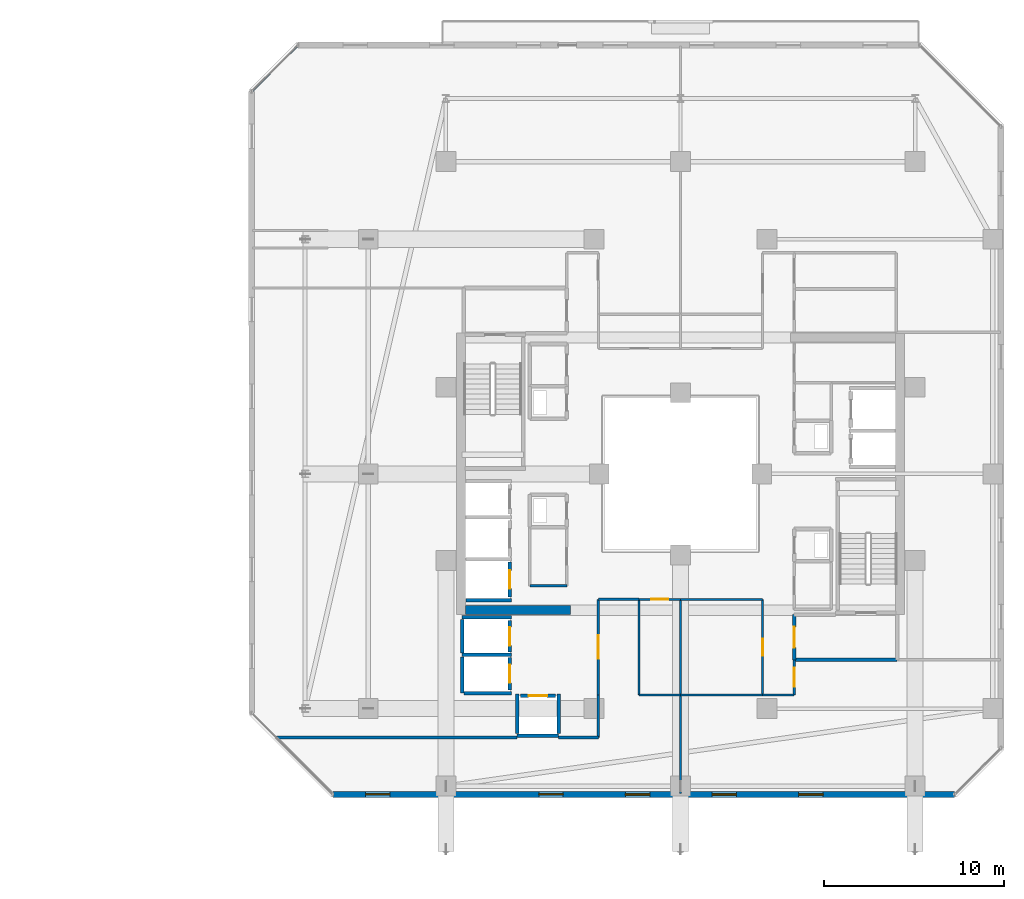
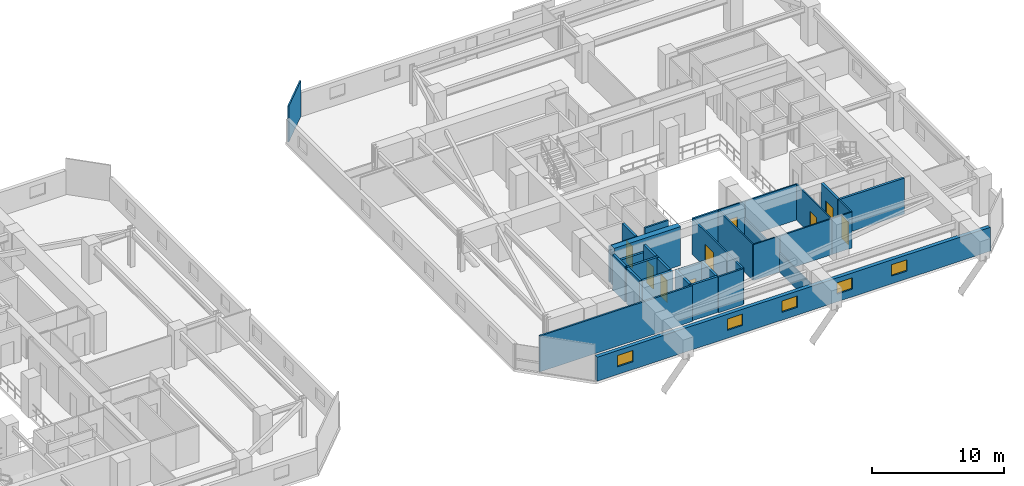
# One storey, part 26 of 36: 34 walls, 9 doors, 5 windows, 14 openings.
"""IFC4 building model written with IfcOpenShell, lengths in metres."""

from ifc_helpers import new_model, si_unit, direction, frame, frame_2d, origin, place, context, subcontext, project, spatial, rectangle, extrude, material, layer, layer_set, type_object, element, fill, save


model = new_model("IFC4")

# Units and contexts
model_context = context("Model", 3, precision=1e-05, world=origin(), true_north=direction((0.0, 1.0)))
body_context = subcontext(model_context, "Body", "Model", "MODEL_VIEW")
ifc_project = project(units=[si_unit("LENGTHUNIT", "METRE"), si_unit("AREAUNIT", "SQUARE_METRE"), si_unit("VOLUMEUNIT", "CUBIC_METRE"), si_unit("PLANEANGLEUNIT", "RADIAN"), si_unit("MASSUNIT", "GRAM", prefix="KILO")], contexts=[model_context])

# Site, building, storey
site_placement = place(None, origin())
site = spatial("IfcSite", under=ifc_project, at=site_placement, CompositionType="ELEMENT")
building_placement = place(site_placement, origin())
building = spatial("IfcBuilding", under=site, at=building_placement, Name="Thornwick Lancets Civic Towers", CompositionType="ELEMENT")
storey_placement = place(building_placement, frame((0.0, 0.0, 196.5)))
storey = spatial("IfcBuildingStorey", under=building, at=storey_placement, Name="L52", CompositionType="ELEMENT", Elevation=196.5)

# Wall, opening, door
ifc_material_1 = material(Name="Concrete blockwork C40/50", Category="masonry")
ifc_layer_1 = layer(ifc_material_1, 0.199951171875, Name="Concrete blockwork C40/50")
ifc_layer_set_1 = layer_set([ifc_layer_1], Name="Concrete blockwork C40/50")
wall_type_1 = type_object("IfcWallType", Name="WALL_COMP_200", PredefinedType="STANDARD", material=ifc_layer_set_1)
wall_1_placement = place(storey_placement, frame((79.050048828125, 20.179931640625, 0.0), z_axis=(0.0, 0.0, 1.0), x_axis=(0.0, 1.0, 0.0)))
wall_1 = element("IfcWall", 1, at=wall_1_placement, inside=storey, type_object=wall_type_1, Name="L52 Hoistway Front Wall PL-BH3", PredefinedType="STANDARD", context=body_context, shape_type="SweptSolid", body=[
    extrude(rectangle(XDim=1.940185546875, YDim=0.199951171875, at=frame_2d((0.97021484375, 0.0))), origin(), (0.0, 0.0, 1.0), 3.320068359375),
])
opening_1_placement = place(wall_1_placement, frame((0.4599609375, 0.0, 0.0)))
opening_1 = element("IfcOpeningElement", 2, at=opening_1_placement, cuts=wall_1, Name="Opening LD-PL-BH3", PredefinedType="OPENING", context=body_context, shape_type="SweptSolid", body=[
    extrude(rectangle(XDim=1.02001953125, YDim=2.06005859375, at=frame_2d((0.510009765625, 1.030029296875))), frame((0.0, 0.10986328125, 0.0), z_axis=(0.0, -1.0, 0.0), x_axis=(1.0, 0.0, 0.0)), (0.0, 0.0, 1.0), 0.219970703125),
])
ifc_material_2 = material(Name="Brushed bronze stainless steel", Category="steel")
door_type_1 = type_object("IfcDoorType", Name="DOOR_LIFT_SLIDE", OperationType="SLIDING_TO_LEFT", PredefinedType="DOOR", material=ifc_material_2)
door_1_placement = place(opening_1_placement, origin())
door_1 = element("IfcDoor", 3, at=door_1_placement, inside=storey, type_object=door_type_1, Name="L52 Sliding Lift Landing Door LD-PL-BH3", OperationType="SLIDING_TO_LEFT", OverallHeight=2.06005859375, OverallWidth=1.02001953125, PredefinedType="DOOR", context=body_context, shape_type="SweptSolid", body=[
    extrude(rectangle(XDim=1.02001953125, YDim=2.06005859375, at=frame_2d((0.510009765625, 1.030029296875))), frame((0.0, 0.02490234375, 0.0), z_axis=(0.0, -1.0, 0.0), x_axis=(1.0, 0.0, 0.0)), (0.0, 0.0, 1.0), 0.050048828125),
])
fill(opening_1, door_1)

wall_2_placement = place(storey_placement, frame((79.050048828125, 17.1298828125, 0.0), z_axis=(0.0, 0.0, 1.0), x_axis=(0.0, 1.0, 0.0)))
wall_2 = element("IfcWall", 4, at=wall_2_placement, inside=storey, type_object=wall_type_1, Name="L52 Hoistway Front Wall PL-BM1", PredefinedType="STANDARD", context=body_context, shape_type="SweptSolid", body=[
    extrude(rectangle(XDim=1.740234375, YDim=0.199951171875, at=frame_2d((0.8701171875, 0.0))), origin(), (0.0, 0.0, 1.0), 3.320068359375),
])
opening_2_placement = place(wall_2_placement, frame((0.360107421875, 0.0, 0.0)))
opening_2 = element("IfcOpeningElement", 5, at=opening_2_placement, cuts=wall_2, Name="Opening LD-PL-BM1", PredefinedType="OPENING", context=body_context, shape_type="SweptSolid", body=[
    extrude(rectangle(XDim=1.02001953125, YDim=2.06005859375, at=frame_2d((0.510009765625, 1.030029296875))), frame((0.0, 0.10986328125, 0.0), z_axis=(0.0, -1.0, 0.0), x_axis=(1.0, 0.0, 0.0)), (0.0, 0.0, 1.0), 0.219970703125),
])
door_2_placement = place(opening_2_placement, origin())
door_2 = element("IfcDoor", 6, at=door_2_placement, inside=storey, type_object=door_type_1, Name="L52 Sliding Lift Landing Door LD-PL-BM1", OperationType="SLIDING_TO_LEFT", OverallHeight=2.06005859375, OverallWidth=1.02001953125, PredefinedType="DOOR", context=body_context, shape_type="SweptSolid", body=[
    extrude(rectangle(XDim=1.02001953125, YDim=2.06005859375, at=frame_2d((0.510009765625, 1.030029296875))), frame((0.0, 0.02490234375, 0.0), z_axis=(0.0, -1.0, 0.0), x_axis=(1.0, 0.0, 0.0)), (0.0, 0.0, 1.0), 0.050048828125),
])
fill(opening_2, door_2)

wall_3_placement = place(storey_placement, frame((79.050048828125, 15.030029296875, 0.0), z_axis=(0.0, 0.0, 1.0), x_axis=(0.0, 1.0, 0.0)))
wall_3 = element("IfcWall", 7, at=wall_3_placement, inside=storey, type_object=wall_type_1, Name="L52 Hoistway Front Wall PL-BM2", PredefinedType="STANDARD", context=body_context, shape_type="SweptSolid", body=[
    extrude(rectangle(XDim=1.7900390625, YDim=0.199951171875, at=frame_2d((0.89501953125, 0.0))), origin(), (0.0, 0.0, 1.0), 3.320068359375),
])
opening_3_placement = place(wall_3_placement, frame((0.385009765625, 0.0, 0.0)))
opening_3 = element("IfcOpeningElement", 8, at=opening_3_placement, cuts=wall_3, Name="Opening LD-PL-BM2", PredefinedType="OPENING", context=body_context, shape_type="SweptSolid", body=[
    extrude(rectangle(XDim=1.02001953125, YDim=2.06005859375, at=frame_2d((0.510009765625, 1.030029296875))), frame((0.0, 0.10986328125, 0.0), z_axis=(0.0, -1.0, 0.0), x_axis=(1.0, 0.0, 0.0)), (0.0, 0.0, 1.0), 0.219970703125),
])
door_3_placement = place(opening_3_placement, origin())
door_3 = element("IfcDoor", 9, at=door_3_placement, inside=storey, type_object=door_type_1, Name="L52 Sliding Lift Landing Door LD-PL-BM2", OperationType="SLIDING_TO_LEFT", OverallHeight=2.06005859375, OverallWidth=1.02001953125, PredefinedType="DOOR", context=body_context, shape_type="SweptSolid", body=[
    extrude(rectangle(XDim=1.02001953125, YDim=2.06005859375, at=frame_2d((0.510009765625, 1.030029296875))), frame((0.0, 0.02490234375, 0.0), z_axis=(0.0, -1.0, 0.0), x_axis=(1.0, 0.0, 0.0)), (0.0, 0.0, 1.0), 0.050048828125),
])
fill(opening_3, door_3)

wall_4_placement = place(storey_placement, frame((79.6298828125, 14.699951171875, 0.0), z_axis=(0.0, 0.0, 1.0), x_axis=(1.0, 0.0, 0.0)))
wall_4 = element("IfcWall", 10, at=wall_4_placement, inside=storey, type_object=wall_type_1, Name="L52 Hoistway Front Wall PL-BM3", PredefinedType="STANDARD", context=body_context, shape_type="SweptSolid", body=[
    extrude(rectangle(XDim=1.940185546875, YDim=0.199951171875, at=frame_2d((0.97021484375, 0.0))), origin(), (0.0, 0.0, 1.0), 3.320068359375),
])
opening_4_placement = place(wall_4_placement, frame((0.4599609375, 0.0, 0.0)))
opening_4 = element("IfcOpeningElement", 11, at=opening_4_placement, cuts=wall_4, Name="Opening LD-PL-BM3", PredefinedType="OPENING", context=body_context, shape_type="SweptSolid", body=[
    extrude(rectangle(XDim=1.02001953125, YDim=2.06005859375, at=frame_2d((0.510009765625, 1.030029296875))), frame((0.0, 0.10986328125, 0.0), z_axis=(0.0, -1.0, 0.0), x_axis=(1.0, 0.0, 0.0)), (0.0, 0.0, 1.0), 0.219970703125),
])
door_4_placement = place(opening_4_placement, origin())
door_4 = element("IfcDoor", 12, at=door_4_placement, inside=storey, type_object=door_type_1, Name="L52 Sliding Lift Landing Door LD-PL-BM3", OperationType="SLIDING_TO_LEFT", OverallHeight=2.06005859375, OverallWidth=1.02001953125, PredefinedType="DOOR", context=body_context, shape_type="SweptSolid", body=[
    extrude(rectangle(XDim=1.02001953125, YDim=2.06005859375, at=frame_2d((0.510009765625, 1.030029296875))), frame((0.0, 0.02490234375, 0.0), z_axis=(0.0, -1.0, 0.0), x_axis=(1.0, 0.0, 0.0)), (0.0, 0.0, 1.0), 0.050048828125),
])
fill(opening_4, door_4)

# Walls
wall_5_placement = place(storey_placement, frame((76.612060546875, 20.0, 0.0), z_axis=(0.0, 0.0, 1.0), x_axis=(1.0, 0.0, 0.0)))
element("IfcWall", 13, at=wall_5_placement, inside=storey, type_object=wall_type_1, Name="L52 Hoistway Shaft Wall PL-BH3 S", PredefinedType="STANDARD", context=body_context, shape_type="SweptSolid", body=[
    extrude(rectangle(XDim=2.535888671875, YDim=0.199951171875, at=frame_2d((1.26806640625, 0.0))), origin(), (0.0, 0.0, 1.0), 3.320068359375),
])
wall_6_placement = place(storey_placement, frame((76.402099609375, 19.050048828125, 0.0), z_axis=(0.0, 0.0, 1.0), x_axis=(1.0, 0.0, 0.0)))
element("IfcWall", 14, at=wall_6_placement, inside=storey, type_object=wall_type_1, Name="L52 Hoistway Shaft Wall PL-BM1 N", PredefinedType="STANDARD", context=body_context, shape_type="SweptSolid", body=[
    extrude(rectangle(XDim=2.745849609375, YDim=0.199951171875, at=frame_2d((1.373046875, 0.0))), origin(), (0.0, 0.0, 1.0), 2.52490234375),
])
wall_7_placement = place(storey_placement, frame((76.402099609375, 16.97509765625, 0.0), z_axis=(0.0, 0.0, 1.0), x_axis=(1.0, 0.0, 0.0)))
element("IfcWall", 15, at=wall_7_placement, inside=storey, type_object=wall_type_1, Name="L52 Hoistway Shaft Wall PL-BM1 S", PredefinedType="STANDARD", context=body_context, shape_type="SweptSolid", body=[
    extrude(rectangle(XDim=2.745849609375, YDim=0.199951171875, at=frame_2d((1.373046875, 0.0))), origin(), (0.0, 0.0, 1.0), 3.320068359375),
])
wall_8_placement = place(storey_placement, frame((76.39990234375, 14.85205078125, 0.0), z_axis=(0.0, 0.0, 1.0), x_axis=(0.0, 1.0, 0.0)))
element("IfcWall", 16, at=wall_8_placement, inside=storey, type_object=wall_type_1, Name="L52 Hoistway Shaft Wall PL-BM1 W", PredefinedType="STANDARD", context=body_context, shape_type="SweptSolid", body=[
    extrude(rectangle(XDim=2.015869140625, YDim=0.199951171875, at=frame_2d((1.0078125, 0.0))), origin(), (0.0, 0.0, 1.0), 3.320068359375),
])
wall_9_placement = place(storey_placement, frame((76.39990234375, 17.08203125, 0.0), z_axis=(0.0, 0.0, 1.0), x_axis=(0.0, 1.0, 0.0)))
element("IfcWall", 17, at=wall_9_placement, inside=storey, type_object=wall_type_1, Name="L52 Hoistway Shaft Wall PL-BM1 W", PredefinedType="STANDARD", context=body_context, shape_type="SweptSolid", body=[
    extrude(rectangle(XDim=1.85595703125, YDim=0.199951171875, at=frame_2d((0.927978515625, 0.0))), origin(), (0.0, 0.0, 1.0), 3.320068359375),
])
wall_10_placement = place(storey_placement, frame((76.511962890625, 14.85009765625, 0.0), z_axis=(0.0, 0.0, 1.0), x_axis=(1.0, 0.0, 0.0)))
element("IfcWall", 18, at=wall_10_placement, inside=storey, type_object=wall_type_1, Name="L52 Hoistway Shaft Wall PL-BM2 S", PredefinedType="STANDARD", context=body_context, shape_type="SweptSolid", body=[
    extrude(rectangle(XDim=2.635986328125, YDim=0.199951171875, at=frame_2d((1.31787109375, 0.0))), origin(), (0.0, 0.0, 1.0), 3.320068359375),
])
wall_11_placement = place(storey_placement, frame((79.451904296875, 12.5, 0.0), z_axis=(0.0, 0.0, 1.0), x_axis=(1.0, 0.0, 0.0)))
element("IfcWall", 19, at=wall_11_placement, inside=storey, type_object=wall_type_1, Name="L52 Hoistway Shaft Wall PL-BM3 S", PredefinedType="STANDARD", context=body_context, shape_type="SweptSolid", body=[
    extrude(rectangle(XDim=2.296142578125, YDim=0.199951171875, at=frame_2d((1.14794921875, 0.0))), origin(), (0.0, 0.0, 1.0), 3.320068359375),
])
for number, where, z_axis, x_axis, name in (
    (20, (81.75, 12.612060546875, 0.0), (0.0, 0.0, 1.0), (0.0, 1.0, 0.0), "L52 Hoistway Shaft Wall PL-BM3 E"),
    (21, (79.449951171875, 12.612060546875, 0.0), (0.0, 0.0, 1.0), (0.0, 1.0, 0.0), "L52 Hoistway Shaft Wall PL-BM3 W"),
):
    element("IfcWall", number, at=place(storey_placement, frame(where, z_axis=z_axis, x_axis=x_axis)), inside=storey, type_object=wall_type_1, Name=name, PredefinedType="STANDARD", context=body_context, shape_type="SweptSolid", body=[
        extrude(rectangle(XDim=2.18603515625, YDim=0.199951171875, at=frame_2d((1.093017578125, 0.0))), origin(), (0.0, 0.0, 1.0), 3.320068359375),
    ])
wall_12_placement = place(storey_placement, frame((94.800048828125, 16.699951171875, 0.0), z_axis=(0.0, 0.0, 1.0), x_axis=(1.0, 0.0, 0.0)))
element("IfcWall", 22, at=wall_12_placement, inside=storey, type_object=wall_type_1, Name="L52 Partition L52-B-FFLOB1 E1", PredefinedType="STANDARD", context=body_context, shape_type="SweptSolid", body=[
    extrude(rectangle(XDim=5.699951171875, YDim=0.199951171875, at=frame_2d((2.85009765625, 0.0))), origin(), (0.0, 0.0, 1.0), 3.320068359375),
])

# Wall, opening, door
wall_13_placement = place(storey_placement, frame((94.800048828125, 19.199951171875, 0.0), z_axis=(0.0, 0.0, 1.0), x_axis=(0.0, -1.0, 0.0)))
wall_13 = element("IfcWall", 23, at=wall_13_placement, inside=storey, type_object=wall_type_1, Name="L52 Partition L52-B-FFLOB1 E4", PredefinedType="STANDARD", context=body_context, shape_type="SweptSolid", body=[
    extrude(rectangle(XDim=2.5, YDim=0.199951171875, at=frame_2d((1.25, 0.0))), origin(), (0.0, 0.0, 1.0), 3.320068359375),
])
opening_5_placement = place(wall_13_placement, frame((0.675048828125, 0.0, 0.0)))
opening_5 = element("IfcOpeningElement", 24, at=opening_5_placement, cuts=wall_13, Name="Opening D-L52-2310", PredefinedType="OPENING", context=body_context, shape_type="SweptSolid", body=[
    extrude(rectangle(XDim=1.14990234375, YDim=2.10009765625, at=frame_2d((0.574951171875, 1.050048828125))), frame((0.0, 0.10986328125, 0.0), z_axis=(0.0, -1.0, 0.0), x_axis=(1.0, 0.0, 0.0)), (0.0, 0.0, 1.0), 0.219970703125),
])
ifc_material_3 = material(Name="Glazed fire-resisting steel", Category="steel")
door_type_2 = type_object("IfcDoorType", Name="DOOR_LOBBY_FD60", OperationType="NOTDEFINED", PredefinedType="DOOR", material=ifc_material_3)
door_5_placement = place(opening_5_placement, origin())
door_5 = element("IfcDoor", 25, at=door_5_placement, inside=storey, type_object=door_type_2, Name="L52 East Firefighting Lobby 1 Door", OperationType="SINGLE_SWING_LEFT", OverallHeight=2.10009765625, OverallWidth=1.14990234375, PredefinedType="DOOR", context=body_context, shape_type="SweptSolid", body=[
    extrude(rectangle(XDim=1.14990234375, YDim=2.10009765625, at=frame_2d((0.574951171875, 1.050048828125))), frame((0.0, 0.02490234375, 0.0), z_axis=(0.0, -1.0, 0.0), x_axis=(1.0, 0.0, 0.0)), (0.0, 0.0, 1.0), 0.050048828125),
])
fill(opening_5, door_5)

# Wall
ifc_material_4 = material(Name="Concrete C50/60", Category="concrete")
ifc_layer_2 = layer(ifc_material_4, 0.5, Name="Concrete C50/60")
ifc_layer_set_2 = layer_set([ifc_layer_2], Name="Concrete C50/60")
wall_type_2 = type_object("IfcWallType", Name="WALL_CORE_500", PredefinedType="SHEAR", material=ifc_layer_set_2)
wall_14_placement = place(storey_placement, frame((76.60009765625, 19.449951171875, 0.0), z_axis=(0.0, 0.0, 1.0), x_axis=(1.0, 0.0, 0.0)))
element("IfcWall", 26, at=wall_14_placement, inside=storey, type_object=wall_type_2, Name="L52 Split Core B2 Shear Wall S", PredefinedType="SHEAR", context=body_context, shape_type="SweptSolid", body=[
    extrude(rectangle(XDim=5.7998046875, YDim=0.5, at=frame_2d((2.89990234375, 0.0))), origin(), (0.0, 0.0, 1.0), 3.60009765625),
])

# Wall, openings, windows
ifc_material_5 = material(Name="Insulated buff terracotta rainscreen on concrete C40/50", Category="masonry")
ifc_layer_3 = layer(ifc_material_5, 0.320068359375, Name="Insulated buff terracotta rainscreen on concrete C40/50")
ifc_layer_set_3 = layer_set([ifc_layer_3], Name="Insulated buff terracotta rainscreen on concrete C40/50")
wall_type_3 = type_object("IfcWallType", Name="WALL_EXT_TERRA_320", PredefinedType="STANDARD", material=ifc_layer_set_3)
wall_15_placement = place(storey_placement, frame((69.2490234375, 9.24169921875, 0.0), z_axis=(0.0, 0.0, 1.0), x_axis=(0.999999983007, -0.000184351399, 0.0)))
wall_15 = element("IfcWall", 27, at=wall_15_placement, inside=storey, type_object=wall_type_3, Name="L52 Tower B Terracotta Facade Wall E0", PredefinedType="STANDARD", context=body_context, shape_type="SweptSolid", body=[
    extrude(rectangle(XDim=34.432373046875, YDim=0.320068359375, at=frame_2d((17.21630859375, 0.0))), origin(), (0.0, 0.0, 1.0), 2.219970703125),
])
opening_6_placement = place(wall_15_placement, frame((1.800048828125, 0.0, 0.719970703125)))
opening_6 = element("IfcOpeningElement", 28, at=opening_6_placement, cuts=wall_15, Name="Opening WL-03", PredefinedType="OPENING", context=body_context, shape_type="SweptSolid", body=[
    extrude(rectangle(XDim=1.35009765625, YDim=1.050048828125, at=frame_2d((0.675048828125, 0.52490234375))), frame((0.0, 0.169921875, 0.0), z_axis=(0.0, -1.0, 0.0), x_axis=(1.0, 0.0, 0.0)), (0.0, 0.0, 1.0), 0.340087890625),
])
opening_7_placement = place(wall_15_placement, frame((11.39990234375, 0.0, 0.719970703125)))
opening_7 = element("IfcOpeningElement", 29, at=opening_7_placement, cuts=wall_15, Name="Opening WL-03", PredefinedType="OPENING", context=body_context, shape_type="SweptSolid", body=[
    extrude(rectangle(XDim=1.35009765625, YDim=1.050048828125, at=frame_2d((0.675048828125, 0.52490234375))), frame((0.0, 0.169921875, 0.0), z_axis=(0.0, -1.0, 0.0), x_axis=(1.0, 0.0, 0.0)), (0.0, 0.0, 1.0), 0.340087890625),
])
opening_8_placement = place(wall_15_placement, frame((16.199951171875, 0.0, 0.719970703125)))
opening_8 = element("IfcOpeningElement", 30, at=opening_8_placement, cuts=wall_15, Name="Opening WL-03", PredefinedType="OPENING", context=body_context, shape_type="SweptSolid", body=[
    extrude(rectangle(XDim=1.35009765625, YDim=1.050048828125, at=frame_2d((0.675048828125, 0.52490234375))), frame((0.0, 0.169921875, 0.0), z_axis=(0.0, -1.0, 0.0), x_axis=(1.0, 0.0, 0.0)), (0.0, 0.0, 1.0), 0.340087890625),
])
opening_9_placement = place(wall_15_placement, frame((21.0, 0.0, 0.719970703125)))
opening_9 = element("IfcOpeningElement", 31, at=opening_9_placement, cuts=wall_15, Name="Opening WL-03", PredefinedType="OPENING", context=body_context, shape_type="SweptSolid", body=[
    extrude(rectangle(XDim=1.35009765625, YDim=1.050048828125, at=frame_2d((0.675048828125, 0.52490234375))), frame((0.0, 0.169921875, 0.0), z_axis=(0.0, -1.0, 0.0), x_axis=(1.0, 0.0, 0.0)), (0.0, 0.0, 1.0), 0.340087890625),
])
opening_10_placement = place(wall_15_placement, frame((25.800048828125, 0.0, 0.719970703125)))
opening_10 = element("IfcOpeningElement", 32, at=opening_10_placement, cuts=wall_15, Name="Opening WL-03", PredefinedType="OPENING", context=body_context, shape_type="SweptSolid", body=[
    extrude(rectangle(XDim=1.35009765625, YDim=1.050048828125, at=frame_2d((0.675048828125, 0.52490234375))), frame((0.0, 0.169921875, 0.0), z_axis=(0.0, -1.0, 0.0), x_axis=(1.0, 0.0, 0.0)), (0.0, 0.0, 1.0), 0.340087890625),
])
ifc_material_6 = material(Name="Clear low-e double glazing clerestory lancet", Category="glass")
window_type = type_object("IfcWindowType", Name="WIN_LANCET_1350", PartitioningType="SINGLE_PANEL", PredefinedType="WINDOW", material=ifc_material_6)
window_1_placement = place(opening_6_placement, origin())
window_1 = element("IfcWindow", 33, at=window_1_placement, inside=storey, type_object=window_type, Name="L52 Tower B Staggered Lancet Window E0-1", OverallHeight=1.050048828125, OverallWidth=1.35009765625, PartitioningType="SINGLE_PANEL", PredefinedType="WINDOW", context=body_context, shape_type="SweptSolid", body=[
    extrude(rectangle(XDim=1.35009765625, YDim=1.050048828125, at=frame_2d((0.675048828125, 0.52490234375))), frame((0.0, 0.030029296875, 0.0), z_axis=(0.0, -1.0, 0.0), x_axis=(1.0, 0.0, 0.0)), (0.0, 0.0, 1.0), 0.06005859375),
])
fill(opening_6, window_1)
window_2_placement = place(opening_7_placement, origin())
window_2 = element("IfcWindow", 34, at=window_2_placement, inside=storey, type_object=window_type, Name="L52 Tower B Staggered Lancet Window E0-2", OverallHeight=1.050048828125, OverallWidth=1.35009765625, PartitioningType="SINGLE_PANEL", PredefinedType="WINDOW", context=body_context, shape_type="SweptSolid", body=[
    extrude(rectangle(XDim=1.35009765625, YDim=1.050048828125, at=frame_2d((0.675048828125, 0.52490234375))), frame((0.0, 0.030029296875, 0.0), z_axis=(0.0, -1.0, 0.0), x_axis=(1.0, 0.0, 0.0)), (0.0, 0.0, 1.0), 0.06005859375),
])
fill(opening_7, window_2)
window_3_placement = place(opening_8_placement, origin())
window_3 = element("IfcWindow", 35, at=window_3_placement, inside=storey, type_object=window_type, Name="L52 Tower B Staggered Lancet Window E0-3", OverallHeight=1.050048828125, OverallWidth=1.35009765625, PartitioningType="SINGLE_PANEL", PredefinedType="WINDOW", context=body_context, shape_type="SweptSolid", body=[
    extrude(rectangle(XDim=1.35009765625, YDim=1.050048828125, at=frame_2d((0.675048828125, 0.52490234375))), frame((0.0, 0.030029296875, 0.0), z_axis=(0.0, -1.0, 0.0), x_axis=(1.0, 0.0, 0.0)), (0.0, 0.0, 1.0), 0.06005859375),
])
fill(opening_8, window_3)
window_4_placement = place(opening_9_placement, origin())
window_4 = element("IfcWindow", 36, at=window_4_placement, inside=storey, type_object=window_type, Name="L52 Tower B Staggered Lancet Window E0-4", OverallHeight=1.050048828125, OverallWidth=1.35009765625, PartitioningType="SINGLE_PANEL", PredefinedType="WINDOW", context=body_context, shape_type="SweptSolid", body=[
    extrude(rectangle(XDim=1.35009765625, YDim=1.050048828125, at=frame_2d((0.675048828125, 0.52490234375))), frame((0.0, 0.030029296875, 0.0), z_axis=(0.0, -1.0, 0.0), x_axis=(1.0, 0.0, 0.0)), (0.0, 0.0, 1.0), 0.06005859375),
])
fill(opening_9, window_4)
window_5_placement = place(opening_10_placement, origin())
window_5 = element("IfcWindow", 37, at=window_5_placement, inside=storey, type_object=window_type, Name="L52 Tower B Staggered Lancet Window E0-5", OverallHeight=1.050048828125, OverallWidth=1.35009765625, PartitioningType="SINGLE_PANEL", PredefinedType="WINDOW", context=body_context, shape_type="SweptSolid", body=[
    extrude(rectangle(XDim=1.35009765625, YDim=1.050048828125, at=frame_2d((0.675048828125, 0.52490234375))), frame((0.0, 0.030029296875, 0.0), z_axis=(0.0, -1.0, 0.0), x_axis=(1.0, 0.0, 0.0)), (0.0, 0.0, 1.0), 0.06005859375),
])
fill(opening_10, window_5)

# Walls
ifc_material_7 = material(Name="Acoustic gypsum board partition")
ifc_layer_4 = layer(ifc_material_7, 0.1201171875, Name="Acoustic gypsum board partition")
ifc_layer_set_4 = layer_set([ifc_layer_4], Name="Acoustic gypsum board partition")
wall_type_4 = type_object("IfcWallType", Name="WALL_PART_120", PredefinedType="PARTITIONING", material=ifc_layer_set_4)
wall_16_placement = place(storey_placement, frame((88.5, 9.280029296875, 0.0), z_axis=(0.0, 0.0, 1.0), x_axis=(0.0, 1.0, 0.0)))
element("IfcWall", 38, at=wall_16_placement, inside=storey, type_object=wall_type_4, Name="L52 Partition L52-B-W1 E2", PredefinedType="PARTITIONING", context=body_context, shape_type="SweptSolid", body=[
    extrude(rectangle(XDim=5.469970703125, YDim=0.1201171875, at=frame_2d((2.73486328125, 0.0))), origin(), (0.0, 0.0, 1.0), 1.784912109375),
])
wall_17_placement = place(storey_placement, frame((88.5, 14.75, 0.0), z_axis=(0.0, 0.0, 1.0), x_axis=(1.0, 0.0, 0.0)))
element("IfcWall", 39, at=wall_17_placement, inside=storey, type_object=wall_type_4, Name="L52 Partition L52-B-W1 E3", PredefinedType="PARTITIONING", context=body_context, shape_type="SweptSolid", body=[
    extrude(rectangle(XDim=4.550048828125, YDim=0.1201171875, at=frame_2d((2.27490234375, 0.0))), origin(), (0.0, 0.0, 1.0), 3.320068359375),
])
wall_18_placement = place(storey_placement, frame((93.050048828125, 14.75, 0.0), z_axis=(0.0, 0.0, 1.0), x_axis=(1.0, 0.0, 0.0)))
element("IfcWall", 40, at=wall_18_placement, inside=storey, type_object=wall_type_4, Name="L52 Partition L52-B-W1 E4", PredefinedType="PARTITIONING", context=body_context, shape_type="SweptSolid", body=[
    extrude(rectangle(XDim=1.75, YDim=0.1201171875, at=frame_2d((0.875, 0.0))), origin(), (0.0, 0.0, 1.0), 3.320068359375),
])

# Wall, opening, door
wall_19_placement = place(storey_placement, frame((94.800048828125, 14.75, 0.0), z_axis=(0.0, 0.0, 1.0), x_axis=(0.0, 1.0, 0.0)))
wall_19 = element("IfcWall", 41, at=wall_19_placement, inside=storey, type_object=wall_type_4, Name="L52 Partition L52-B-W1 E5", PredefinedType="PARTITIONING", context=body_context, shape_type="SweptSolid", body=[
    extrude(rectangle(XDim=1.949951171875, YDim=0.1201171875, at=frame_2d((0.97509765625, 0.0))), origin(), (0.0, 0.0, 1.0), 3.320068359375),
])
opening_11_placement = place(wall_19_placement, frame((0.449951171875, 0.0, 0.0)))
opening_11 = element("IfcOpeningElement", 42, at=opening_11_placement, cuts=wall_19, Name="Opening D-L52-2333", PredefinedType="OPENING", context=body_context, shape_type="SweptSolid", body=[
    extrude(rectangle(XDim=1.050048828125, YDim=2.10009765625, at=frame_2d((0.52490234375, 1.050048828125))), frame((0.0, 0.070068359375, 0.0), z_axis=(0.0, -1.0, 0.0), x_axis=(1.0, 0.0, 0.0)), (0.0, 0.0, 1.0), 0.14013671875),
])
ifc_material_8 = material(Name="Glazed European oak executive doorset")
door_type_3 = type_object("IfcDoorType", Name="DOOR_OFFICE_1050", OperationType="NOTDEFINED", PredefinedType="DOOR", material=ifc_material_8)
door_6_placement = place(opening_11_placement, origin())
door_6 = element("IfcDoor", 43, at=door_6_placement, inside=storey, type_object=door_type_3, Name="L52 Tower B Ministry Directorate Office W1 Door", OperationType="SINGLE_SWING_RIGHT", OverallHeight=2.10009765625, OverallWidth=1.050048828125, PredefinedType="DOOR", context=body_context, shape_type="SweptSolid", body=[
    extrude(rectangle(XDim=1.050048828125, YDim=2.10009765625, at=frame_2d((0.52490234375, 1.050048828125))), frame((0.0, 0.02490234375, 0.0), z_axis=(0.0, -1.0, 0.0), x_axis=(1.0, 0.0, 0.0)), (0.0, 0.0, 1.0), 0.050048828125),
])
fill(opening_11, door_6)

# Walls
wall_20_placement = place(storey_placement, frame((88.5, 14.75, 0.0), z_axis=(0.0, 0.0, 1.0), x_axis=(0.0, 1.0, 0.0)))
element("IfcWall", 44, at=wall_20_placement, inside=storey, type_object=wall_type_4, Name="L52 Partition L52-B-W2 E1", PredefinedType="PARTITIONING", context=body_context, shape_type="SweptSolid", body=[
    extrude(rectangle(XDim=5.300048828125, YDim=0.1201171875, at=frame_2d((2.64990234375, 0.0))), origin(), (0.0, 0.0, 1.0), 1.784912109375),
])
wall_21_placement = place(storey_placement, frame((88.5, 20.050048828125, 0.0), z_axis=(0.0, 0.0, 1.0), x_axis=(1.0, 0.0, 0.0)))
element("IfcWall", 45, at=wall_21_placement, inside=storey, type_object=wall_type_4, Name="L52 Partition L52-B-W2 E2", PredefinedType="PARTITIONING", context=body_context, shape_type="SweptSolid", body=[
    extrude(rectangle(XDim=4.550048828125, YDim=0.1201171875, at=frame_2d((2.27490234375, 0.0))), origin(), (0.0, 0.0, 1.0), 3.320068359375),
])

# Wall, opening, door
wall_22_placement = place(storey_placement, frame((93.050048828125, 20.050048828125, 0.0), z_axis=(0.0, 0.0, 1.0), x_axis=(0.0, -1.0, 0.0)))
wall_22 = element("IfcWall", 46, at=wall_22_placement, inside=storey, type_object=wall_type_4, Name="L52 Partition L52-B-W2 E3", PredefinedType="PARTITIONING", context=body_context, shape_type="SweptSolid", body=[
    extrude(rectangle(XDim=5.300048828125, YDim=0.1201171875, at=frame_2d((2.64990234375, 0.0))), origin(), (0.0, 0.0, 1.0), 3.320068359375),
])
opening_12_placement = place(wall_22_placement, frame((2.175048828125, 0.0, 0.0)))
opening_12 = element("IfcOpeningElement", 47, at=opening_12_placement, cuts=wall_22, Name="Opening D-L52-2334", PredefinedType="OPENING", context=body_context, shape_type="SweptSolid", body=[
    extrude(rectangle(XDim=0.949951171875, YDim=2.10009765625, at=frame_2d((0.47509765625, 1.050048828125))), frame((0.0, 0.070068359375, 0.0), z_axis=(0.0, -1.0, 0.0), x_axis=(1.0, 0.0, 0.0)), (0.0, 0.0, 1.0), 0.14013671875),
])
ifc_material_9 = material(Name="European oak acoustic doorset")
door_type_4 = type_object("IfcDoorType", Name="DOOR_OFFICE_950", OperationType="NOTDEFINED", PredefinedType="DOOR", material=ifc_material_9)
door_7_placement = place(opening_12_placement, origin())
door_7 = element("IfcDoor", 48, at=door_7_placement, inside=storey, type_object=door_type_4, Name="L52 Tower B Statutory Research Suite Door", OperationType="SINGLE_SWING_LEFT", OverallHeight=2.10009765625, OverallWidth=0.949951171875, PredefinedType="DOOR", context=body_context, shape_type="SweptSolid", body=[
    extrude(rectangle(XDim=0.949951171875, YDim=2.10009765625, at=frame_2d((0.47509765625, 1.050048828125))), frame((0.0, 0.02490234375, 0.0), z_axis=(0.0, -1.0, 0.0), x_axis=(1.0, 0.0, 0.0)), (0.0, 0.0, 1.0), 0.050048828125),
])
fill(opening_12, door_7)

# Wall
wall_23_placement = place(storey_placement, frame((86.199951171875, 14.75, 0.0), z_axis=(0.0, 0.0, 1.0), x_axis=(0.0, 1.0, 0.0)))
element("IfcWall", 49, at=wall_23_placement, inside=storey, type_object=wall_type_4, Name="L52 Partition L52-B-W3 E1", PredefinedType="PARTITIONING", context=body_context, shape_type="SweptSolid", body=[
    extrude(rectangle(XDim=5.300048828125, YDim=0.1201171875, at=frame_2d((2.64990234375, 0.0))), origin(), (0.0, 0.0, 1.0), 3.320068359375),
])

# Wall, opening, door
wall_24_placement = place(storey_placement, frame((86.199951171875, 20.050048828125, 0.0), z_axis=(0.0, 0.0, 1.0), x_axis=(1.0, 0.0, 0.0)))
wall_24 = element("IfcWall", 50, at=wall_24_placement, inside=storey, type_object=wall_type_4, Name="L52 Partition L52-B-W3 E2", PredefinedType="PARTITIONING", context=body_context, shape_type="SweptSolid", body=[
    extrude(rectangle(XDim=2.300048828125, YDim=0.1201171875, at=frame_2d((1.14990234375, 0.0))), origin(), (0.0, 0.0, 1.0), 3.320068359375),
])
opening_13_placement = place(wall_24_placement, frame((0.675048828125, 0.0, 0.0)))
opening_13 = element("IfcOpeningElement", 51, at=opening_13_placement, cuts=wall_24, Name="Opening D-L52-2335", PredefinedType="OPENING", context=body_context, shape_type="SweptSolid", body=[
    extrude(rectangle(XDim=0.949951171875, YDim=2.10009765625, at=frame_2d((0.47509765625, 1.050048828125))), frame((0.0, 0.070068359375, 0.0), z_axis=(0.0, -1.0, 0.0), x_axis=(1.0, 0.0, 0.0)), (0.0, 0.0, 1.0), 0.14013671875),
])
door_8_placement = place(opening_13_placement, origin())
door_8 = element("IfcDoor", 52, at=door_8_placement, inside=storey, type_object=door_type_4, Name="L52 Tower B Staff Tea Pantry and Lounge Door", OperationType="SINGLE_SWING_RIGHT", OverallHeight=2.10009765625, OverallWidth=0.949951171875, PredefinedType="DOOR", context=body_context, shape_type="SweptSolid", body=[
    extrude(rectangle(XDim=0.949951171875, YDim=2.10009765625, at=frame_2d((0.47509765625, 1.050048828125))), frame((0.0, 0.02490234375, 0.0), z_axis=(0.0, -1.0, 0.0), x_axis=(1.0, 0.0, 0.0)), (0.0, 0.0, 1.0), 0.050048828125),
])
fill(opening_13, door_8)

# Walls
wall_25_placement = place(storey_placement, frame((88.5, 14.75, 0.0), z_axis=(0.0, 0.0, 1.0), x_axis=(-1.0, 0.0, 0.0)))
element("IfcWall", 53, at=wall_25_placement, inside=storey, type_object=wall_type_4, Name="L52 Partition L52-B-W3 E4", PredefinedType="PARTITIONING", context=body_context, shape_type="SweptSolid", body=[
    extrude(rectangle(XDim=2.300048828125, YDim=0.1201171875, at=frame_2d((1.14990234375, 0.0))), origin(), (0.0, 0.0, 1.0), 3.320068359375),
])
wall_26_placement = place(storey_placement, frame((64.780029296875, 48.225341796875, 0.0), z_axis=(0.0, 0.0, 1.0), x_axis=(0.707106781187, 0.707106781187, 0.0)))
element("IfcWall", 54, at=wall_26_placement, inside=storey, type_object=wall_type_4, Name="L52 Partition L52-B-E4 E12", PredefinedType="PARTITIONING", context=body_context, shape_type="SweptSolid", body=[
    extrude(rectangle(XDim=3.52783203125, YDim=0.1201171875, at=frame_2d((1.763916015625, 0.0))), origin(), (0.0, 0.0, 1.0), 3.320068359375),
])
ifc_material_10 = material(Name="Twin-stud acoustic gypsum board")
ifc_layer_5 = layer(ifc_material_10, 0.14990234375, Name="Twin-stud acoustic gypsum board")
ifc_layer_set_5 = layer_set([ifc_layer_5], Name="Twin-stud acoustic gypsum board")
wall_type_5 = type_object("IfcWallType", Name="WALL_PART_150", PredefinedType="PARTITIONING", material=ifc_layer_set_5)
wall_27_placement = place(storey_placement, frame((82.199951171875, 20.800048828125, 0.0), z_axis=(0.0, 0.0, 1.0), x_axis=(-1.0, 0.0, 0.0)))
element("IfcWall", 55, at=wall_27_placement, inside=storey, type_object=wall_type_5, Name="L52 Partition L52-B-FWC E1", PredefinedType="PARTITIONING", context=body_context, shape_type="SweptSolid", body=[
    extrude(rectangle(XDim=2.050048828125, YDim=0.14990234375, at=frame_2d((1.02490234375, 0.0))), origin(), (0.0, 0.0, 1.0), 3.320068359375),
])

# Wall, opening, door
wall_28_placement = place(storey_placement, frame((83.949951171875, 14.75, 0.0), z_axis=(0.0, 0.0, 1.0), x_axis=(0.0, 1.0, 0.0)))
wall_28 = element("IfcWall", 56, at=wall_28_placement, inside=storey, type_object=wall_type_5, Name="L52 Partition L52-B-W4 E1", PredefinedType="PARTITIONING", context=body_context, shape_type="SweptSolid", body=[
    extrude(rectangle(XDim=5.300048828125, YDim=0.14990234375, at=frame_2d((2.64990234375, 0.0))), origin(), (0.0, 0.0, 1.0), 3.320068359375),
])
opening_14_placement = place(wall_28_placement, frame((2.0, 0.0, 0.0)))
opening_14 = element("IfcOpeningElement", 57, at=opening_14_placement, cuts=wall_28, Name="Opening D-L52-2336", PredefinedType="OPENING", context=body_context, shape_type="SweptSolid", body=[
    extrude(rectangle(XDim=1.300048828125, YDim=2.1201171875, at=frame_2d((0.64990234375, 1.06005859375))), frame((0.0, 0.0849609375, 0.0), z_axis=(0.0, -1.0, 0.0), x_axis=(1.0, 0.0, 0.0)), (0.0, 0.0, 1.0), 0.169921875),
])
ifc_material_11 = material(Name="Acoustic oak leaf-and-a-half doorset")
door_type_5 = type_object("IfcDoorType", Name="DOOR_MEET_1300", OperationType="DOUBLE_DOOR_SINGLE_SWING", PredefinedType="DOOR", material=ifc_material_11)
door_9_placement = place(opening_14_placement, origin())
door_9 = element("IfcDoor", 58, at=door_9_placement, inside=storey, type_object=door_type_5, Name="L52 Tower B Policy Briefing Room W4 Door", OperationType="DOUBLE_DOOR_SINGLE_SWING", OverallHeight=2.1201171875, OverallWidth=1.300048828125, PredefinedType="DOOR", context=body_context, shape_type="SweptSolid", body=[
    extrude(rectangle(XDim=1.300048828125, YDim=2.1201171875, at=frame_2d((0.64990234375, 1.06005859375))), frame((0.0, 0.02490234375, 0.0), z_axis=(0.0, -1.0, 0.0), x_axis=(1.0, 0.0, 0.0)), (0.0, 0.0, 1.0), 0.050048828125),
])
fill(opening_14, door_9)

# Walls
wall_29_placement = place(storey_placement, frame((83.949951171875, 20.050048828125, 0.0), z_axis=(0.0, 0.0, 1.0), x_axis=(1.0, 0.0, 0.0)))
element("IfcWall", 59, at=wall_29_placement, inside=storey, type_object=wall_type_5, Name="L52 Partition L52-B-W4 E2", PredefinedType="PARTITIONING", context=body_context, shape_type="SweptSolid", body=[
    extrude(rectangle(XDim=2.25, YDim=0.14990234375, at=frame_2d((1.125, 0.0))), origin(), (0.0, 0.0, 1.0), 3.320068359375),
])
wall_30_placement = place(storey_placement, frame((66.092529296875, 12.39990234375, 0.0), z_axis=(0.0, 0.0, 1.0), x_axis=(1.0, 0.0, 0.0)))
element("IfcWall", 60, at=wall_30_placement, inside=storey, type_object=wall_type_5, Name="L52 Partition L52-B-W4 E8", PredefinedType="PARTITIONING", context=body_context, shape_type="SweptSolid", body=[
    extrude(rectangle(XDim=13.359375, YDim=0.14990234375, at=frame_2d((6.6796875, 0.0))), origin(), (0.0, 0.0, 1.0), 3.320068359375),
])
wall_31_placement = place(storey_placement, frame((81.748046875, 12.39990234375, 0.0), z_axis=(0.0, 0.0, 1.0), x_axis=(1.0, 0.0, 0.0)))
element("IfcWall", 61, at=wall_31_placement, inside=storey, type_object=wall_type_5, Name="L52 Partition L52-B-W4 E8", PredefinedType="PARTITIONING", context=body_context, shape_type="SweptSolid", body=[
    extrude(rectangle(XDim=2.201904296875, YDim=0.14990234375, at=frame_2d((1.10107421875, 0.0))), origin(), (0.0, 0.0, 1.0), 3.320068359375),
])
wall_32_placement = place(storey_placement, frame((83.949951171875, 12.39990234375, 0.0), z_axis=(0.0, 0.0, 1.0), x_axis=(0.0, 1.0, 0.0)))
element("IfcWall", 62, at=wall_32_placement, inside=storey, type_object=wall_type_5, Name="L52 Partition L52-B-W4 E9", PredefinedType="PARTITIONING", context=body_context, shape_type="SweptSolid", body=[
    extrude(rectangle(XDim=2.35009765625, YDim=0.14990234375, at=frame_2d((1.175048828125, 0.0))), origin(), (0.0, 0.0, 1.0), 3.320068359375),
])

save(model, "model.ifc")
